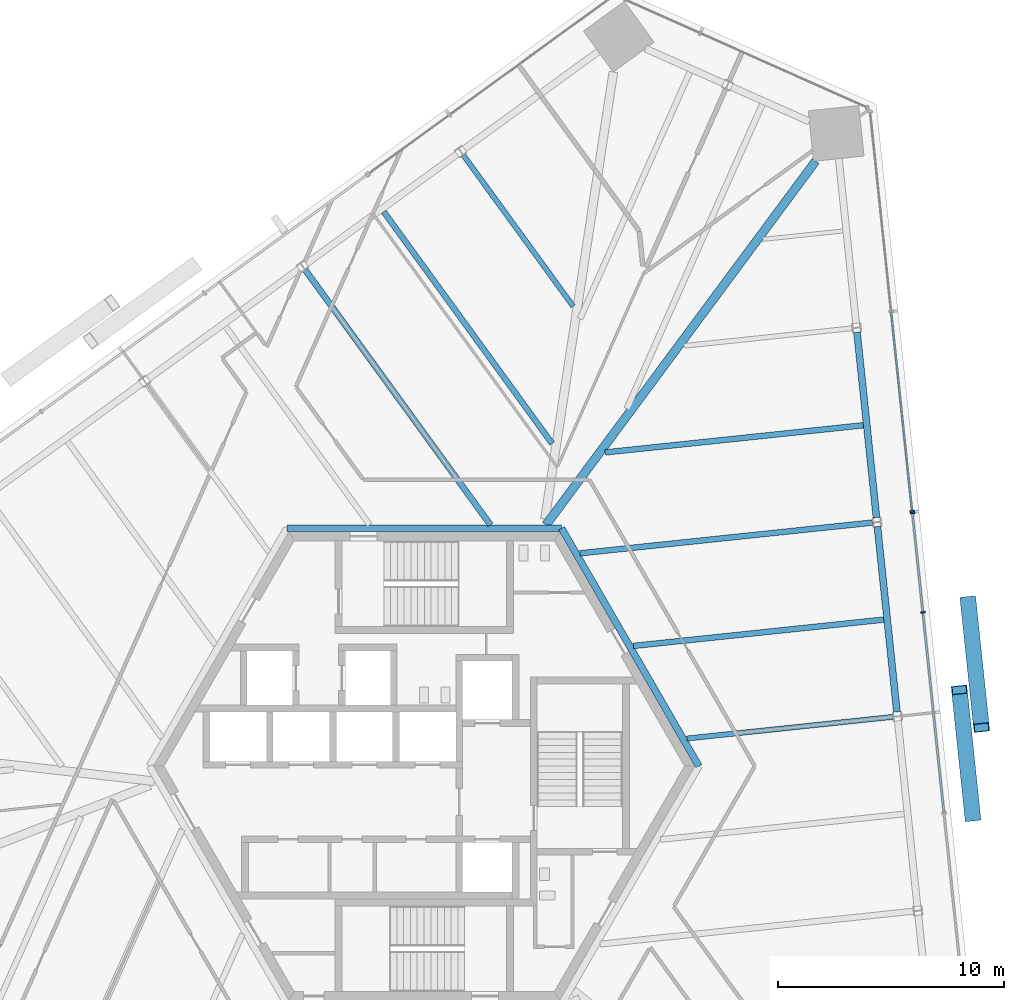
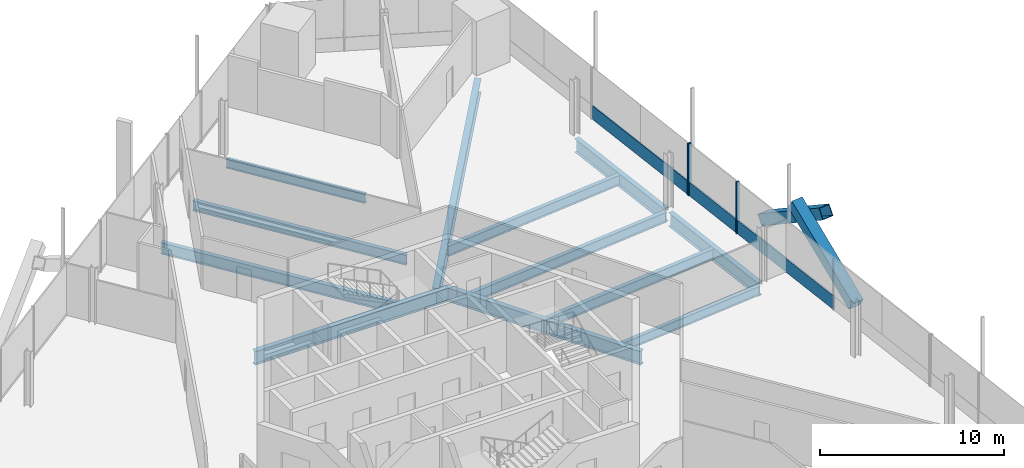
# One storey, part 8 of 21: 12 beams, 8 members, 2 elements without a shape of their own.
"""IFC4 building model written with IfcOpenShell, lengths in metres."""

from ifc_helpers import new_model, si_unit, direction, frame, origin, origin_2d, place, context, subcontext, project, spatial, rectangle, hollow_rectangle, i_section, extrude, source, transform, mapped, material, material_profile, profile_set, type_object, element, aggregate, save


model = new_model("IFC4")

# Units and contexts
model_context = context("Model", 3, precision=1e-05, world=origin(), true_north=direction((0.0, 1.0)))
body_context = subcontext(model_context, "Body", "Model", "MODEL_VIEW")
ifc_project = project(units=[si_unit("LENGTHUNIT", "METRE"), si_unit("AREAUNIT", "SQUARE_METRE"), si_unit("VOLUMEUNIT", "CUBIC_METRE"), si_unit("PLANEANGLEUNIT", "RADIAN"), si_unit("MASSUNIT", "GRAM", prefix="KILO")], contexts=[model_context])

# Site, building, storey
site_placement = place(None, origin())
site = spatial("IfcSite", under=ifc_project, at=site_placement, CompositionType="ELEMENT")
building_placement = place(site_placement, origin())
building = spatial("IfcBuilding", under=site, at=building_placement, Name="Triune Harvest Tower", CompositionType="ELEMENT")
storey_placement = place(building_placement, frame((0.0, 0.0, 72.89990234375)))
storey = spatial("IfcBuildingStorey", under=building, at=storey_placement, Name="L17", CompositionType="ELEMENT", Elevation=72.89990234375)

# Curtain wall, member
ifc_material_1 = material(Name="Aluminium bronze anodised", Category="aluminium")
curtain_wall_type_1 = type_object("IfcCurtainWallType", Name="CW-7 Tower stick curtain wall with insulated spandrel infill", PredefinedType="NOTDEFINED", material=ifc_material_1)
curtain_wall_1_placement = place(storey_placement, origin())
curtain_wall_1 = element("IfcCurtainWall", 1, at=curtain_wall_1_placement, inside=storey, type_object=curtain_wall_type_1, Name="CW-7 B2-F1 L17 run 1001")
ifc_material_2 = material(Name="Aluminium bronze anodised", Category="aluminium")
ifc_material_profile_1 = material_profile(ifc_material_2, rectangle(XDim=0.090087890625, YDim=0.89990234375, at=origin_2d()), Name="TR-1 transom 90 x 900")
ifc_profile_set_1 = profile_set([ifc_material_profile_1], Name="Aluminium bronze anodised")
member_type_1 = type_object("IfcMemberType", Name="TR-1 transom 90 x 900", PredefinedType="USERDEFINED", material=ifc_profile_set_1)
member_1_placement = place(storey_placement, frame((23.036865234375, -2.0361328125, 0.4501953125), z_axis=(-0.104529973208, 0.994521736666, 0.0), x_axis=(-0.994521736666, -0.104529973208, 0.0)))
member_1 = element("IfcMember", 2, at=member_1_placement, type_object=member_type_1, Name="CW-7 transom B2-F1 1001.2", ObjectType="TRANSOM", PredefinedType="USERDEFINED", context=body_context, shape_type="SweptSolid", body=[
    extrude(rectangle(XDim=0.090087890625, YDim=0.89990234375, at=origin_2d()), origin(), (0.0, 0.0, 1.0), 8.865966796875),
])

# Beams
ifc_material_3 = material(Name="Steel ASTM A992 Gr 50", Category="steel")
ifc_material_profile_2 = material_profile(ifc_material_3, i_section(OverallWidth=0.3046875, OverallDepth=0.914306640625, WebThickness=0.0166015625, FlangeThickness=0.02587890625, at=origin_2d()), Name="W36x160")
ifc_profile_set_2 = profile_set([ifc_material_profile_2], Name="Steel ASTM A992 Gr 50")
beam_type_1 = type_object("IfcBeamType", Name="CG-1 Core ring girder W36x160", PredefinedType="BEAM", material=ifc_profile_set_2)
shared_shape_1 = source(origin(), body_context, "Body", "SweptSolid", [
    extrude(i_section(OverallWidth=0.3046875, OverallDepth=0.914306640625, WebThickness=0.0166015625, FlangeThickness=0.02587890625, at=origin_2d()), origin(), (0.0, 0.0, 1.0), 12.176025390625),
])
beam_1_placement = place(storey_placement, frame((12.176025390625, 0.0, -0.6171875), z_axis=(-0.5000099932, 0.866019634131, 0.0), x_axis=(-0.866019634131, -0.5000099932, 0.0)))
element("IfcBeam", 3, at=beam_1_placement, inside=storey, type_object=beam_type_1, Name="beam/L17/CG1", PredefinedType="BEAM", context=body_context, shape_type="MappedRepresentation", body=[
    mapped(shared_shape_1, transform((0.0, 0.0, 0.0), scale=1.0)),
])
shared_shape_2 = source(origin(), body_context, "Body", "SweptSolid", [
    extrude(i_section(OverallWidth=0.3046875, OverallDepth=0.914306640625, WebThickness=0.0166015625, FlangeThickness=0.02587890625, at=origin_2d()), origin(), (0.0, 0.0, 1.0), 12.17578125),
])
beam_2_placement = place(storey_placement, frame((6.087890625, 10.544677734375, -0.6171875), z_axis=(-1.0, 0.0, 0.0), x_axis=(0.0, -1.0, 0.0)))
element("IfcBeam", 4, at=beam_2_placement, inside=storey, type_object=beam_type_1, Name="beam/L17/CG2", PredefinedType="BEAM", context=body_context, shape_type="MappedRepresentation", body=[
    mapped(shared_shape_2, transform((0.0, 0.0, 0.0), scale=1.0)),
])
ifc_material_4 = material(Name="Steel ASTM A992 Gr 50", Category="steel")
ifc_material_profile_3 = material_profile(ifc_material_4, i_section(OverallWidth=0.3046875, OverallDepth=0.914306640625, WebThickness=0.0166015625, FlangeThickness=0.02587890625, at=origin_2d()), Name="W36x160")
ifc_profile_set_3 = profile_set([ifc_material_profile_3], Name="Steel ASTM A992 Gr 50")
beam_type_2 = type_object("IfcBeamType", Name="SB-1 Spandrel beam W36x160", PredefinedType="SPANDREL", material=ifc_profile_set_3)
shared_shape_3 = source(origin(), body_context, "Body", "SweptSolid", [
    extrude(i_section(OverallWidth=0.3046875, OverallDepth=0.914306640625, WebThickness=0.0166015625, FlangeThickness=0.02587890625, at=origin_2d()), origin(), (0.0, 0.0, 1.0), 8.263427734375),
])
for number, where, z_axis, x_axis, name in (
    (5, (20.956298828125, 2.403076171875, -0.6171875), (-0.104560208485, 0.994518558299, 0.0), (-0.994518558299, -0.104560208485, 0.0), "beam/L17/SB4"),
    (6, (20.05078125, 11.017822265625, -0.6171875), (-0.104527914852, 0.994521953009, 0.0), (-0.994521953009, -0.104527914852, 0.0), "beam/L17/SB5"),
):
    element("IfcBeam", number, at=place(storey_placement, frame(where, z_axis=z_axis, x_axis=x_axis)), inside=storey, type_object=beam_type_2, Name=name, PredefinedType="SPANDREL", context=body_context, shape_type="MappedRepresentation", body=[
        mapped(shared_shape_3, transform((0.0, 0.0, 0.0), scale=1.0)),
    ])
ifc_material_5 = material(Name="Steel ASTM A992 Gr 50", Category="steel")
ifc_material_profile_4 = material_profile(ifc_material_5, i_section(OverallWidth=0.383544921875, OverallDepth=0.9423828125, WebThickness=0.022216796875, FlangeThickness=0.039794921875, at=origin_2d()), Name="W36x232")
ifc_profile_set_4 = profile_set([ifc_material_profile_4], Name="Steel ASTM A992 Gr 50")
beam_type_3 = type_object("IfcBeamType", Name="HG-1 Hip girder W36x232", PredefinedType="BEAM", material=ifc_profile_set_4)
shared_shape_4 = source(origin(), body_context, "Body", "SweptSolid", [
    extrude(i_section(OverallWidth=0.383544921875, OverallDepth=0.9423828125, WebThickness=0.022216796875, FlangeThickness=0.039794921875, at=origin_2d()), origin(), (0.0, 0.0, 1.0), 20.071044921875),
])
beam_3_placement = place(storey_placement, frame((17.3515625, 26.822265625, -0.631103515625), z_axis=(-0.595422435489, -0.803412797581, 0.0), x_axis=(0.803412797581, -0.595422435489, 0.0)))
element("IfcBeam", 7, at=beam_3_placement, inside=storey, type_object=beam_type_3, Name="beam/L17/HG3", PredefinedType="BEAM", context=body_context, shape_type="MappedRepresentation", body=[
    mapped(shared_shape_4, transform((0.0, 0.0, 0.0), scale=1.0)),
])
ifc_material_6 = material(Name="Steel ASTM A992 Gr 50", Category="steel")
ifc_material_profile_5 = material_profile(ifc_material_6, i_section(OverallWidth=0.22900390625, OverallDepth=0.612060546875, WebThickness=0.011962890625, FlangeThickness=0.01953125, at=origin_2d()), Name="W24x84")
ifc_profile_set_5 = profile_set([ifc_material_profile_5], Name="Steel ASTM A992 Gr 50")
beam_type_4 = type_object("IfcBeamType", Name="JT-3 Floor joist W24x84", PredefinedType="JOIST", material=ifc_profile_set_5)
shared_shape_5 = source(origin(), body_context, "Body", "SweptSolid", [
    extrude(i_section(OverallWidth=0.22900390625, OverallDepth=0.612060546875, WebThickness=0.011962890625, FlangeThickness=0.01953125, at=origin_2d()), origin(), (0.0, 0.0, 1.0), 8.28173828125),
])
beam_4_placement = place(storey_placement, frame((1.733642578125, 27.087890625, -0.466064453125), z_axis=(0.587794772324, -0.809010077581, 0.0), x_axis=(0.809010077581, 0.587794772324, 0.0)))
element("IfcBeam", 8, at=beam_4_placement, inside=storey, type_object=beam_type_4, Name="beam/L17/JT15", PredefinedType="JOIST", context=body_context, shape_type="MappedRepresentation", body=[
    mapped(shared_shape_5, transform((0.0, 0.0, 0.0), scale=1.0)),
])
shared_shape_6 = source(origin(), body_context, "Body", "SweptSolid", [
    extrude(i_section(OverallWidth=0.22900390625, OverallDepth=0.612060546875, WebThickness=0.011962890625, FlangeThickness=0.01953125, at=origin_2d()), origin(), (0.0, 0.0, 1.0), 9.186279296875),
])
beam_5_placement = place(storey_placement, frame((20.78125, 2.18408203125, -0.466064453125), z_axis=(-0.99452494946, -0.10449940144, 0.0), x_axis=(0.10449940144, -0.99452494946, 0.0)))
element("IfcBeam", 9, at=beam_5_placement, inside=storey, type_object=beam_type_4, Name="beam/L17/JT6", PredefinedType="JOIST", context=body_context, shape_type="MappedRepresentation", body=[
    mapped(shared_shape_6, transform((0.0, 0.0, 0.0), scale=1.0)),
])
ifc_material_7 = material(Name="Steel ASTM A992 Gr 50", Category="steel")
ifc_material_profile_6 = material_profile(ifc_material_7, i_section(OverallWidth=0.253662109375, OverallDepth=0.683349609375, WebThickness=0.012451171875, FlangeThickness=0.01904296875, at=origin_2d()), Name="W27x94")
ifc_profile_set_6 = profile_set([ifc_material_profile_6], Name="Steel ASTM A992 Gr 50")
beam_type_5 = type_object("IfcBeamType", Name="JT-4 Floor joist W27x94", PredefinedType="JOIST", material=ifc_profile_set_6)
shared_shape_7 = source(origin(), body_context, "Body", "SweptSolid", [
    extrude(i_section(OverallWidth=0.253662109375, OverallDepth=0.683349609375, WebThickness=0.012451171875, FlangeThickness=0.01904296875, at=origin_2d()), origin(), (0.0, 0.0, 1.0), 11.158935546875),
])
beam_6_placement = place(storey_placement, frame((20.372802734375, 6.49609375, -0.50146484375), z_axis=(-0.994523540129, -0.104512813234, 0.0), x_axis=(0.104512813234, -0.994523540129, 0.0)))
element("IfcBeam", 10, at=beam_6_placement, inside=storey, type_object=beam_type_5, Name="beam/L17/JT7", PredefinedType="JOIST", context=body_context, shape_type="MappedRepresentation", body=[
    mapped(shared_shape_7, transform((0.0, 0.0, 0.0), scale=1.0)),
])
shared_shape_8 = source(origin(), body_context, "Body", "SweptSolid", [
    extrude(i_section(OverallWidth=0.253662109375, OverallDepth=0.683349609375, WebThickness=0.012451171875, FlangeThickness=0.01904296875, at=origin_2d()), origin(), (0.0, 0.0, 1.0), 13.04296875),
])
beam_7_placement = place(storey_placement, frame((19.875732421875, 10.799072265625, -0.50146484375), z_axis=(-0.99452051979, -0.104541550188, 0.0), x_axis=(0.104541550188, -0.99452051979, 0.0)))
element("IfcBeam", 11, at=beam_7_placement, inside=storey, type_object=beam_type_5, Name="beam/L17/JT8", PredefinedType="JOIST", context=body_context, shape_type="MappedRepresentation", body=[
    mapped(shared_shape_8, transform((0.0, 0.0, 0.0), scale=1.0)),
])
shared_shape_9 = source(origin(), body_context, "Body", "SweptSolid", [
    extrude(i_section(OverallWidth=0.253662109375, OverallDepth=0.683349609375, WebThickness=0.012451171875, FlangeThickness=0.01904296875, at=origin_2d()), origin(), (0.0, 0.0, 1.0), 11.51123046875),
])
beam_8_placement = place(storey_placement, frame((19.46728515625, 15.111083984375, -0.50146484375), z_axis=(-0.994520898324, -0.104537949071, 0.0), x_axis=(0.104537949071, -0.994520898324, 0.0)))
element("IfcBeam", 12, at=beam_8_placement, inside=storey, type_object=beam_type_5, Name="beam/L17/JT9", PredefinedType="JOIST", context=body_context, shape_type="MappedRepresentation", body=[
    mapped(shared_shape_9, transform((0.0, 0.0, 0.0), scale=1.0)),
])
shared_shape_10 = source(origin(), body_context, "Body", "SweptSolid", [
    extrude(i_section(OverallWidth=0.253662109375, OverallDepth=0.683349609375, WebThickness=0.012451171875, FlangeThickness=0.01904296875, at=origin_2d()), origin(), (0.0, 0.0, 1.0), 12.701904296875),
])
beam_9_placement = place(storey_placement, frame((-1.79638671875, 24.578369140625, -0.50146484375), z_axis=(0.587773910587, -0.809025234485, 0.0), x_axis=(0.809025234485, 0.587773910587, 0.0)))
element("IfcBeam", 13, at=beam_9_placement, inside=storey, type_object=beam_type_5, Name="beam/L17/JT16", PredefinedType="JOIST", context=body_context, shape_type="MappedRepresentation", body=[
    mapped(shared_shape_10, transform((0.0, 0.0, 0.0), scale=1.0)),
])
ifc_material_8 = material(Name="Steel ASTM A992 Gr 50", Category="steel")
ifc_material_profile_7 = material_profile(ifc_material_8, i_section(OverallWidth=0.2666015625, OverallDepth=0.7568359375, WebThickness=0.013916015625, FlangeThickness=0.019287109375, at=origin_2d()), Name="W30x108")
ifc_profile_set_7 = profile_set([ifc_material_profile_7], Name="Steel ASTM A992 Gr 50")
beam_type_6 = type_object("IfcBeamType", Name="JT-5 Floor joist W30x108", PredefinedType="JOIST", material=ifc_profile_set_7)
shared_shape_11 = source(origin(), body_context, "Body", "SweptSolid", [
    extrude(i_section(OverallWidth=0.2666015625, OverallDepth=0.7568359375, WebThickness=0.013916015625, FlangeThickness=0.019287109375, at=origin_2d()), origin(), (0.0, 0.0, 1.0), 13.967041015625),
])
beam_10_placement = place(storey_placement, frame((-5.2744140625, 21.99658203125, -0.538330078125), z_axis=(0.587790196646, -0.809013402069, 0.0), x_axis=(0.809013402069, 0.587790196646, 0.0)))
element("IfcBeam", 14, at=beam_10_placement, inside=storey, type_object=beam_type_6, Name="beam/L17/JT17", PredefinedType="JOIST", context=body_context, shape_type="MappedRepresentation", body=[
    mapped(shared_shape_11, transform((0.0, 0.0, 0.0), scale=1.0)),
])

# Members
ifc_material_9 = material(Name="Steel ASTM A572 Gr 50", Category="steel")
ifc_material_profile_8 = material_profile(ifc_material_9, hollow_rectangle(XDim=0.699951171875, YDim=0.699951171875, WallThickness=0.0400390625, at=origin_2d()), Name="Box 700x700x40")
ifc_profile_set_8 = profile_set([ifc_material_profile_8], Name="Steel ASTM A572 Gr 50")
member_type_2 = type_object("IfcMemberType", Name="BR-1 Brace Box 700x700x40", PredefinedType="BRACE", material=ifc_profile_set_8)
shared_shape_12 = source(origin(), body_context, "Body", "SweptSolid", [
    extrude(hollow_rectangle(XDim=0.699951171875, YDim=0.699951171875, WallThickness=0.0400390625, at=origin_2d()), origin(), (0.0, 0.0, 1.0), 6.702392578125),
])
for number, where, z_axis, x_axis, name in (
    (15, (24.315185546875, -2.24169921875, 0.0), (-0.088149803266, 0.838880152564, 0.537130991303), (-0.994524366574, -0.104504948637, 0.0), "brace/B2-F1/d1/5"),
    (16, (24.113525390625, 7.331787109375, 0.0), (0.088185945589, -0.838877458457, 0.537129266279), (0.994519877461, 0.104547660588, 0.0), "brace/B2-F1/d2/5"),
):
    element("IfcMember", number, at=place(storey_placement, frame(where, z_axis=z_axis, x_axis=x_axis)), inside=storey, type_object=member_type_2, Name=name, PredefinedType="BRACE", context=body_context, shape_type="MappedRepresentation", body=[
        mapped(shared_shape_12, transform((0.0, 0.0, 0.0), scale=1.0)),
    ])

# Curtain wall, member
ifc_material_10 = material(Name="Aluminium bronze anodised", Category="aluminium")
curtain_wall_type_2 = type_object("IfcCurtainWallType", Name="CW-1 Tower stick curtain wall", PredefinedType="NOTDEFINED", material=ifc_material_10)
curtain_wall_2_placement = place(storey_placement, origin())
curtain_wall_2 = element("IfcCurtainWall", 17, at=curtain_wall_2_placement, inside=storey, type_object=curtain_wall_type_2, Name="CW-1 B2-F1 L17 run 2001")
shared_shape_13 = source(origin(), body_context, "Body", "SweptSolid", [
    extrude(rectangle(XDim=0.090087890625, YDim=0.89990234375, at=origin_2d()), origin(), (0.0, 0.0, 1.0), 8.82861328125),
])
member_2_placement = place(storey_placement, frame((21.630859375, 11.33935546875, 0.4501953125), z_axis=(-0.10452931889, 0.994521805438, 0.0), x_axis=(-0.994521805438, -0.10452931889, 0.0)))
member_2 = element("IfcMember", 18, at=member_2_placement, type_object=member_type_1, Name="CW-1 transom B2-F1 2001.1", ObjectType="TRANSOM", PredefinedType="USERDEFINED", context=body_context, shape_type="MappedRepresentation", body=[
    mapped(shared_shape_13, transform((0.0, 0.0, 0.0), scale=1.0)),
])

# Member
shared_shape_14 = source(origin(), body_context, "Body", "SweptSolid", [
    extrude(rectangle(XDim=0.090087890625, YDim=0.89990234375, at=origin_2d()), origin(), (0.0, 0.0, 1.0), 4.358154296875),
])
member_3_placement = place(storey_placement, frame((22.102294921875, 6.85595703125, 0.4501953125), z_axis=(-0.104533145855, 0.994521403197, 0.0), x_axis=(-0.994521403197, -0.104533145855, 0.0)))
member_3 = element("IfcMember", 19, at=member_3_placement, type_object=member_type_1, Name="CW-7 transom B2-F1 1001.3", ObjectType="TRANSOM", PredefinedType="USERDEFINED", context=body_context, shape_type="MappedRepresentation", body=[
    mapped(shared_shape_14, transform((0.0, 0.0, 0.0), scale=1.0)),
])

ifc_material_11 = material(Name="Aluminium bronze anodised", Category="aluminium")
ifc_material_profile_9 = material_profile(ifc_material_11, rectangle(XDim=0.199951171875, YDim=0.074951171875, at=origin_2d()), Name="MU-1 mullion 75 x 200")
ifc_profile_set_9 = profile_set([ifc_material_profile_9], Name="Aluminium bronze anodised")
member_type_3 = type_object("IfcMemberType", Name="MU-1 mullion 75 x 200", PredefinedType="MULLION", material=ifc_profile_set_9)
shared_shape_15 = source(origin(), body_context, "Body", "SweptSolid", [
    extrude(rectangle(XDim=0.199951171875, YDim=0.074951171875, at=origin_2d()), origin(), (0.0, 0.0, 1.0), 3.440185546875),
])
member_4_placement = place(storey_placement, frame((22.106201171875, 6.818603515625, 0.0), z_axis=(0.0, 0.0, 1.0), x_axis=(-0.994521938115, -0.10452805656, 0.0)))
member_4 = element("IfcMember", 20, at=member_4_placement, type_object=member_type_3, Name="CW-7 mullion B2-F1 1001.5", PredefinedType="MULLION", context=body_context, shape_type="MappedRepresentation", body=[
    mapped(shared_shape_15, transform((0.0, 0.0, 0.0), scale=1.0)),
])

member_5_placement = place(storey_placement, frame((21.642822265625, 11.227294921875, 0.0), z_axis=(0.0, 0.0, 1.0), x_axis=(-0.994521938115, -0.10452805656, 0.0)))
member_5 = element("IfcMember", 21, at=member_5_placement, type_object=member_type_3, Name="CW-7 mullion B2-F1 1001.6", PredefinedType="MULLION", context=body_context, shape_type="MappedRepresentation", body=[
    mapped(shared_shape_15, transform((0.0, 0.0, 0.0), scale=1.0)),
])

aggregate(curtain_wall_1, [member_4, member_5, member_1, member_3])

member_6_placement = place(storey_placement, frame((21.634765625, 11.302001953125, 0.0), z_axis=(0.0, 0.0, 1.0), x_axis=(-0.994522026204, -0.104527218444, 0.0)))
member_6 = element("IfcMember", 22, at=member_6_placement, type_object=member_type_3, Name="CW-1 mullion B2-F1 2001.1", PredefinedType="MULLION", context=body_context, shape_type="MappedRepresentation", body=[
    mapped(shared_shape_15, transform((0.0, 0.0, 0.0), scale=1.0)),
])

aggregate(curtain_wall_2, [member_6, member_2])

save(model, "model.ifc")
